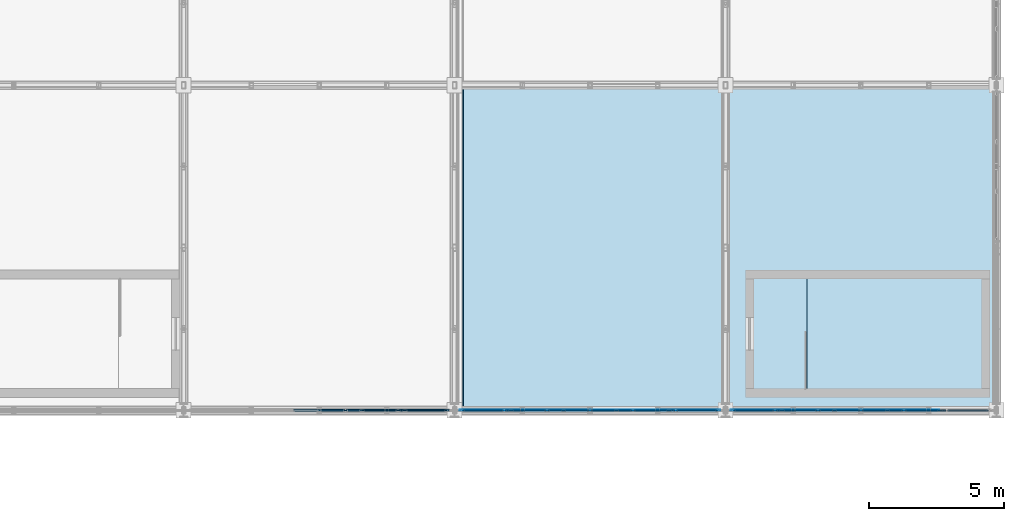
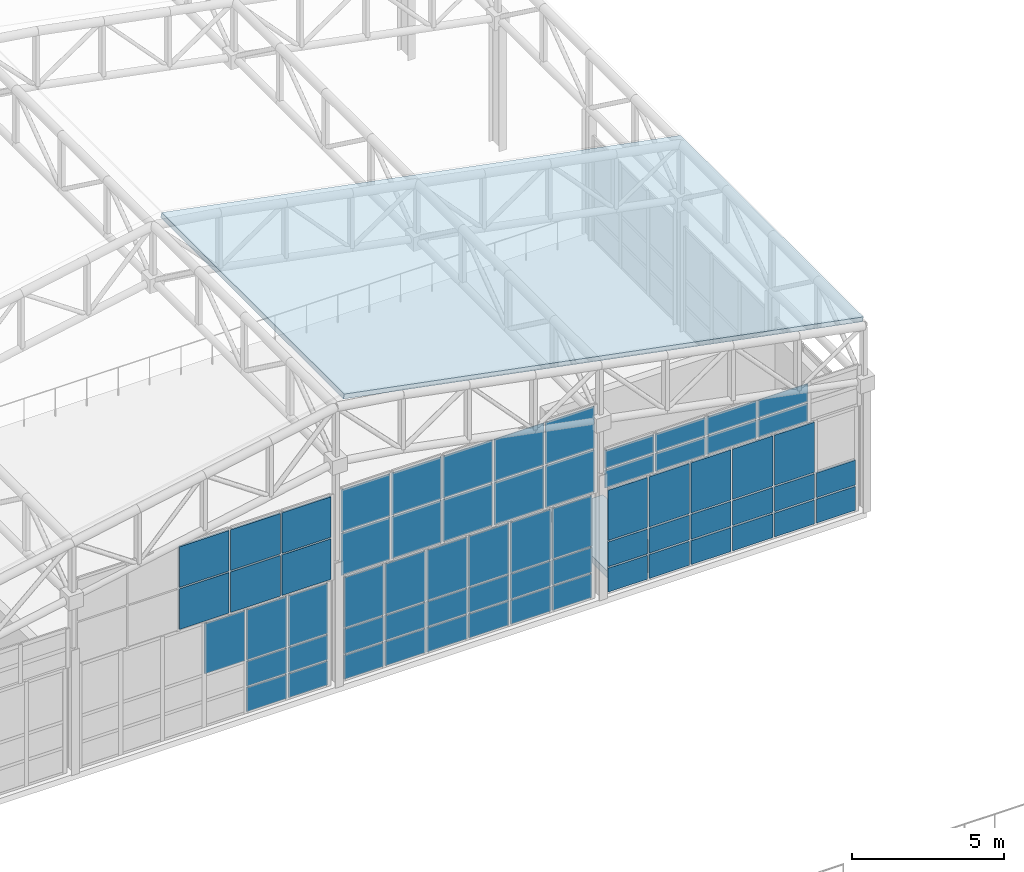
# One storey, part 91 of 112: 66 plates, 2 slabs, 7 elements without a shape of their own.
"""IFC4 building model written with IfcOpenShell, lengths in metres."""

from ifc_helpers import new_model, si_unit, direction, frame, origin, origin_2d, place, context, subcontext, project, spatial, polyline, rectangle, outline, extrude, material, layer, layer_set, type_object, element, aggregate, save


model = new_model("IFC4")

# Units and contexts
model_context = context("Model", 3, precision=1e-05, world=origin(), true_north=direction((0.0, 1.0)))
body_context = subcontext(model_context, "Body", "Model", "MODEL_VIEW")
ifc_project = project(units=[si_unit("LENGTHUNIT", "METRE"), si_unit("AREAUNIT", "SQUARE_METRE"), si_unit("VOLUMEUNIT", "CUBIC_METRE"), si_unit("PLANEANGLEUNIT", "RADIAN"), si_unit("MASSUNIT", "GRAM", prefix="KILO")], contexts=[model_context])

# Site, building, storey
site_placement = place(None, origin())
site = spatial("IfcSite", under=ifc_project, at=site_placement, CompositionType="ELEMENT")
building_placement = place(site_placement, origin())
building = spatial("IfcBuilding", under=site, at=building_placement, Name="Kaldris Quays Convention Centre", CompositionType="ELEMENT")
storey_placement = place(building_placement, frame((0.0, 0.0, 16.800048828125)))
storey = spatial("IfcBuildingStorey", under=building, at=storey_placement, Name="L03", CompositionType="ELEMENT", Elevation=16.800048828125)

# Curtain wall, plates
ifc_material_1 = material(Name="Anodized aluminium AW-6060 and triple glazing", Category="aluminium")
curtain_wall_type_1 = type_object("IfcCurtainWallType", Name="UNITISED CURTAIN WALL CW05", PredefinedType="NOTDEFINED", material=ifc_material_1)
curtain_wall_1_placement = place(storey_placement, origin())
curtain_wall_1 = element("IfcCurtainWall", 1, at=curtain_wall_1_placement, inside=storey, type_object=curtain_wall_type_1, Name="L03 Unitised Curtain Wall CW05 257", PredefinedType="NOTDEFINED")
ifc_material_2 = material(Name="Triple low-E insulated glazing", Category="glass")
plate_type_1 = type_object("IfcPlateType", Name="CURTAIN GLAZING PANEL CWP1", PredefinedType="CURTAIN_PANEL", material=ifc_material_2)
plate_1_placement = place(storey_placement, frame((185.126953125, 56.0, 4.2548828125), z_axis=(0.0, 0.0, 1.0), x_axis=(1.0, 0.0, 0.0)))
plate_1 = element("IfcPlate", 2, at=plate_1_placement, type_object=plate_type_1, Name="CW05 panel 1.1", PredefinedType="CURTAIN_PANEL", context=body_context, shape_type="SweptSolid", body=[
    extrude(rectangle(XDim=1.85400390625, YDim=0.029052734375, at=origin_2d()), origin(), (0.0, 0.0, 1.0), 1.68408203125),
])
plate_2_placement = place(storey_placement, frame((185.126953125, 56.0, 5.9990234375), z_axis=(0.0, 0.0, 1.0), x_axis=(1.0, 0.0, 0.0)))
plate_2 = element("IfcPlate", 3, at=plate_2_placement, type_object=plate_type_1, Name="CW05 panel 1.2", PredefinedType="CURTAIN_PANEL", context=body_context, shape_type="SweptSolid", body=[
    extrude(rectangle(XDim=1.85400390625, YDim=0.029052734375, at=origin_2d()), origin(), (0.0, 0.0, 1.0), 1.68408203125),
])
plate_3_placement = place(storey_placement, frame((187.055908203125, 56.0, 4.2548828125), z_axis=(0.0, 0.0, 1.0), x_axis=(1.0, 0.0, 0.0)))
plate_3 = element("IfcPlate", 4, at=plate_3_placement, type_object=plate_type_1, Name="CW05 panel 2.1", PredefinedType="CURTAIN_PANEL", context=body_context, shape_type="SweptSolid", body=[
    extrude(rectangle(XDim=1.884033203125, YDim=0.029052734375, at=origin_2d()), origin(), (0.0, 0.0, 1.0), 1.68408203125),
])
plate_4_placement = place(storey_placement, frame((187.055908203125, 56.0, 5.9990234375), z_axis=(0.0, 0.0, 1.0), x_axis=(1.0, 0.0, 0.0)))
plate_4 = element("IfcPlate", 5, at=plate_4_placement, type_object=plate_type_1, Name="CW05 panel 2.2", PredefinedType="CURTAIN_PANEL", context=body_context, shape_type="SweptSolid", body=[
    extrude(rectangle(XDim=1.884033203125, YDim=0.029052734375, at=origin_2d()), origin(), (0.0, 0.0, 1.0), 1.68408203125),
])
plate_5_placement = place(storey_placement, frame((189.0, 56.0, 4.2548828125), z_axis=(0.0, 0.0, 1.0), x_axis=(1.0, 0.0, 0.0)))
plate_5 = element("IfcPlate", 6, at=plate_5_placement, type_object=plate_type_1, Name="CW05 panel 3.1", PredefinedType="CURTAIN_PANEL", context=body_context, shape_type="SweptSolid", body=[
    extrude(rectangle(XDim=1.884033203125, YDim=0.029052734375, at=origin_2d()), origin(), (0.0, 0.0, 1.0), 1.68408203125),
])
plate_6_placement = place(storey_placement, frame((189.0, 56.0, 5.9990234375), z_axis=(0.0, 0.0, 1.0), x_axis=(1.0, 0.0, 0.0)))
plate_6 = element("IfcPlate", 7, at=plate_6_placement, type_object=plate_type_1, Name="CW05 panel 3.2", PredefinedType="CURTAIN_PANEL", context=body_context, shape_type="SweptSolid", body=[
    extrude(rectangle(XDim=1.884033203125, YDim=0.029052734375, at=origin_2d()), origin(), (0.0, 0.0, 1.0), 1.68408203125),
])
plate_7_placement = place(storey_placement, frame((190.944091796875, 56.0, 4.2548828125), z_axis=(0.0, 0.0, 1.0), x_axis=(1.0, 0.0, 0.0)))
plate_7 = element("IfcPlate", 8, at=plate_7_placement, type_object=plate_type_1, Name="CW05 panel 4.1", PredefinedType="CURTAIN_PANEL", context=body_context, shape_type="SweptSolid", body=[
    extrude(rectangle(XDim=1.884033203125, YDim=0.029052734375, at=origin_2d()), origin(), (0.0, 0.0, 1.0), 1.68408203125),
])
plate_8_placement = place(storey_placement, frame((190.944091796875, 56.0, 5.9990234375), z_axis=(0.0, 0.0, 1.0), x_axis=(1.0, 0.0, 0.0)))
plate_8 = element("IfcPlate", 9, at=plate_8_placement, type_object=plate_type_1, Name="CW05 panel 4.2", PredefinedType="CURTAIN_PANEL", context=body_context, shape_type="SweptSolid", body=[
    extrude(rectangle(XDim=1.884033203125, YDim=0.029052734375, at=origin_2d()), origin(), (0.0, 0.0, 1.0), 1.68408203125),
])
plate_9_placement = place(storey_placement, frame((192.873046875, 56.0, 4.2548828125), z_axis=(0.0, 0.0, 1.0), x_axis=(1.0, 0.0, 0.0)))
plate_9 = element("IfcPlate", 10, at=plate_9_placement, type_object=plate_type_1, Name="CW05 panel 5.1", PredefinedType="CURTAIN_PANEL", context=body_context, shape_type="SweptSolid", body=[
    extrude(rectangle(XDim=1.85400390625, YDim=0.029052734375, at=origin_2d()), origin(), (0.0, 0.0, 1.0), 1.68408203125),
])
plate_10_placement = place(storey_placement, frame((192.873046875, 56.0, 5.9990234375), z_axis=(0.0, 0.0, 1.0), x_axis=(1.0, 0.0, 0.0)))
plate_10 = element("IfcPlate", 11, at=plate_10_placement, type_object=plate_type_1, Name="CW05 panel 5.2", PredefinedType="CURTAIN_PANEL", context=body_context, shape_type="SweptSolid", body=[
    extrude(rectangle(XDim=1.85400390625, YDim=0.029052734375, at=origin_2d()), origin(), (0.0, 0.0, 1.0), 1.68408203125),
])
aggregate(curtain_wall_1, [plate_1, plate_2, plate_3, plate_4, plate_5, plate_6, plate_7, plate_8, plate_9, plate_10])

curtain_wall_2_placement = place(storey_placement, origin())
curtain_wall_2 = element("IfcCurtainWall", 12, at=curtain_wall_2_placement, inside=storey, type_object=curtain_wall_type_1, Name="L03 Unitised Curtain Wall CW05 258", PredefinedType="NOTDEFINED")
plate_type_2 = type_object("IfcPlateType", Name="CURTAIN GLAZING PANEL CWP2", PredefinedType="CURTAIN_PANEL", material=ifc_material_2)
plate_11_placement = place(storey_placement, frame((195.126953125, 56.0, 4.2548828125), z_axis=(0.0, 0.0, 1.0), x_axis=(1.0, 0.0, 0.0)))
plate_11 = element("IfcPlate", 13, at=plate_11_placement, type_object=plate_type_2, Name="CW05 panel 1.1", PredefinedType="CURTAIN_PANEL", context=body_context, shape_type="SweptSolid", body=[
    extrude(rectangle(XDim=1.85400390625, YDim=0.033935546875, at=origin_2d()), origin(), (0.0, 0.0, 1.0), 0.719970703125),
])
plate_12_placement = place(storey_placement, frame((195.126953125, 56.0, 5.03515625), z_axis=(0.0, 0.0, 1.0), x_axis=(1.0, 0.0, 0.0)))
plate_12 = element("IfcPlate", 14, at=plate_12_placement, type_object=plate_type_2, Name="CW05 panel 1.2", PredefinedType="CURTAIN_PANEL", context=body_context, shape_type="SweptSolid", body=[
    extrude(rectangle(XDim=1.85400390625, YDim=0.033935546875, at=origin_2d()), origin(), (0.0, 0.0, 1.0), 0.718994140625),
])
plate_13_placement = place(storey_placement, frame((197.055908203125, 56.0, 4.2548828125), z_axis=(0.0, 0.0, 1.0), x_axis=(1.0, 0.0, 0.0)))
plate_13 = element("IfcPlate", 15, at=plate_13_placement, type_object=plate_type_2, Name="CW05 panel 2.1", PredefinedType="CURTAIN_PANEL", context=body_context, shape_type="SweptSolid", body=[
    extrude(rectangle(XDim=1.884033203125, YDim=0.033935546875, at=origin_2d()), origin(), (0.0, 0.0, 1.0), 0.719970703125),
])
plate_14_placement = place(storey_placement, frame((197.055908203125, 56.0, 5.03515625), z_axis=(0.0, 0.0, 1.0), x_axis=(1.0, 0.0, 0.0)))
plate_14 = element("IfcPlate", 16, at=plate_14_placement, type_object=plate_type_2, Name="CW05 panel 2.2", PredefinedType="CURTAIN_PANEL", context=body_context, shape_type="SweptSolid", body=[
    extrude(rectangle(XDim=1.884033203125, YDim=0.033935546875, at=origin_2d()), origin(), (0.0, 0.0, 1.0), 0.718994140625),
])
plate_15_placement = place(storey_placement, frame((199.0, 56.0, 4.2548828125), z_axis=(0.0, 0.0, 1.0), x_axis=(1.0, 0.0, 0.0)))
plate_15 = element("IfcPlate", 17, at=plate_15_placement, type_object=plate_type_2, Name="CW05 panel 3.1", PredefinedType="CURTAIN_PANEL", context=body_context, shape_type="SweptSolid", body=[
    extrude(rectangle(XDim=1.884033203125, YDim=0.033935546875, at=origin_2d()), origin(), (0.0, 0.0, 1.0), 0.719970703125),
])
plate_16_placement = place(storey_placement, frame((199.0, 56.0, 5.03515625), z_axis=(0.0, 0.0, 1.0), x_axis=(1.0, 0.0, 0.0)))
plate_16 = element("IfcPlate", 18, at=plate_16_placement, type_object=plate_type_2, Name="CW05 panel 3.2", PredefinedType="CURTAIN_PANEL", context=body_context, shape_type="SweptSolid", body=[
    extrude(rectangle(XDim=1.884033203125, YDim=0.033935546875, at=origin_2d()), origin(), (0.0, 0.0, 1.0), 0.718994140625),
])
plate_17_placement = place(storey_placement, frame((200.944091796875, 56.0, 4.2548828125), z_axis=(0.0, 0.0, 1.0), x_axis=(1.0, 0.0, 0.0)))
plate_17 = element("IfcPlate", 19, at=plate_17_placement, type_object=plate_type_2, Name="CW05 panel 4.1", PredefinedType="CURTAIN_PANEL", context=body_context, shape_type="SweptSolid", body=[
    extrude(rectangle(XDim=1.884033203125, YDim=0.033935546875, at=origin_2d()), origin(), (0.0, 0.0, 1.0), 0.719970703125),
])
plate_18_placement = place(storey_placement, frame((200.944091796875, 56.0, 5.03515625), z_axis=(0.0, 0.0, 1.0), x_axis=(1.0, 0.0, 0.0)))
plate_18 = element("IfcPlate", 20, at=plate_18_placement, type_object=plate_type_2, Name="CW05 panel 4.2", PredefinedType="CURTAIN_PANEL", context=body_context, shape_type="SweptSolid", body=[
    extrude(rectangle(XDim=1.884033203125, YDim=0.033935546875, at=origin_2d()), origin(), (0.0, 0.0, 1.0), 0.718994140625),
])
aggregate(curtain_wall_2, [plate_11, plate_12, plate_13, plate_14, plate_15, plate_16, plate_17, plate_18])

curtain_wall_type_2 = type_object("IfcCurtainWallType", Name="UNITISED CURTAIN WALL CW01", PredefinedType="NOTDEFINED", material=ifc_material_1)
curtain_wall_3_placement = place(storey_placement, origin())
curtain_wall_3 = element("IfcCurtainWall", 21, at=curtain_wall_3_placement, inside=storey, type_object=curtain_wall_type_2, Name="L03 Unitised Curtain Wall CW01 37", PredefinedType="NOTDEFINED")
plate_type_3 = type_object("IfcPlateType", Name="CURTAIN GLAZING PANEL CWP5", PredefinedType="CURTAIN_PANEL", material=ifc_material_2)
plate_19_placement = place(storey_placement, frame((179.791748046875, 56.0, 2.1298828125), z_axis=(0.0, 0.0, 1.0), x_axis=(1.0, 0.0, 0.0)))
plate_19 = element("IfcPlate", 22, at=plate_19_placement, type_object=plate_type_3, Name="CW01 panel 4.3", PredefinedType="CURTAIN_PANEL", context=body_context, shape_type="SweptSolid", body=[
    extrude(rectangle(XDim=1.5234375, YDim=0.049072265625, at=origin_2d()), origin(), (0.0, 0.0, 1.0), 2.010009765625),
])
plate_20_placement = place(storey_placement, frame((181.375, 56.0, 0.06005859375), z_axis=(0.0, 0.0, 1.0), x_axis=(1.0, 0.0, 0.0)))
plate_20 = element("IfcPlate", 23, at=plate_20_placement, type_object=plate_type_3, Name="CW01 panel 5.1", PredefinedType="CURTAIN_PANEL", context=body_context, shape_type="SweptSolid", body=[
    extrude(rectangle(XDim=1.5234375, YDim=0.049072265625, at=origin_2d()), origin(), (0.0, 0.0, 1.0), 0.9599609375),
])
plate_21_placement = place(storey_placement, frame((181.375, 56.0, 1.080078125), z_axis=(0.0, 0.0, 1.0), x_axis=(1.0, 0.0, 0.0)))
plate_21 = element("IfcPlate", 24, at=plate_21_placement, type_object=plate_type_3, Name="CW01 panel 5.2", PredefinedType="CURTAIN_PANEL", context=body_context, shape_type="SweptSolid", body=[
    extrude(rectangle(XDim=1.5234375, YDim=0.049072265625, at=origin_2d()), origin(), (0.0, 0.0, 1.0), 0.989990234375),
])
plate_22_placement = place(storey_placement, frame((181.375, 56.0, 2.1298828125), z_axis=(0.0, 0.0, 1.0), x_axis=(1.0, 0.0, 0.0)))
plate_22 = element("IfcPlate", 25, at=plate_22_placement, type_object=plate_type_3, Name="CW01 panel 5.3", PredefinedType="CURTAIN_PANEL", context=body_context, shape_type="SweptSolid", body=[
    extrude(rectangle(XDim=1.5234375, YDim=0.049072265625, at=origin_2d()), origin(), (0.0, 0.0, 1.0), 2.010009765625),
])
plate_23_placement = place(storey_placement, frame((182.943359375, 56.0, 0.06005859375), z_axis=(0.0, 0.0, 1.0), x_axis=(1.0, 0.0, 0.0)))
plate_23 = element("IfcPlate", 26, at=plate_23_placement, type_object=plate_type_3, Name="CW01 panel 6.1", PredefinedType="CURTAIN_PANEL", context=body_context, shape_type="SweptSolid", body=[
    extrude(rectangle(XDim=1.493408203125, YDim=0.049072265625, at=origin_2d()), origin(), (0.0, 0.0, 1.0), 0.9599609375),
])
plate_24_placement = place(storey_placement, frame((182.943359375, 56.0, 1.080078125), z_axis=(0.0, 0.0, 1.0), x_axis=(1.0, 0.0, 0.0)))
plate_24 = element("IfcPlate", 27, at=plate_24_placement, type_object=plate_type_3, Name="CW01 panel 6.2", PredefinedType="CURTAIN_PANEL", context=body_context, shape_type="SweptSolid", body=[
    extrude(rectangle(XDim=1.493408203125, YDim=0.049072265625, at=origin_2d()), origin(), (0.0, 0.0, 1.0), 0.989990234375),
])
plate_25_placement = place(storey_placement, frame((182.943359375, 56.0, 2.1298828125), z_axis=(0.0, 0.0, 1.0), x_axis=(1.0, 0.0, 0.0)))
plate_25 = element("IfcPlate", 28, at=plate_25_placement, type_object=plate_type_3, Name="CW01 panel 6.3", PredefinedType="CURTAIN_PANEL", context=body_context, shape_type="SweptSolid", body=[
    extrude(rectangle(XDim=1.493408203125, YDim=0.049072265625, at=origin_2d()), origin(), (0.0, 0.0, 1.0), 2.010009765625),
])
aggregate(curtain_wall_3, [plate_19, plate_20, plate_21, plate_22, plate_23, plate_24, plate_25])

curtain_wall_4_placement = place(storey_placement, origin())
curtain_wall_4 = element("IfcCurtainWall", 29, at=curtain_wall_4_placement, inside=storey, type_object=curtain_wall_type_2, Name="L03 Unitised Curtain Wall CW01 38", PredefinedType="NOTDEFINED")
plate_type_4 = type_object("IfcPlateType", Name="CURTAIN GLAZING PANEL CWP6", PredefinedType="CURTAIN_PANEL", material=ifc_material_2)
plate_26_placement = place(storey_placement, frame((185.056640625, 56.0, 0.06005859375), z_axis=(0.0, 0.0, 1.0), x_axis=(1.0, 0.0, 0.0)))
plate_26 = element("IfcPlate", 30, at=plate_26_placement, type_object=plate_type_4, Name="CW01 panel 1.1", PredefinedType="CURTAIN_PANEL", context=body_context, shape_type="SweptSolid", body=[
    extrude(rectangle(XDim=1.493408203125, YDim=0.053955078125, at=origin_2d()), origin(), (0.0, 0.0, 1.0), 0.9599609375),
])
plate_27_placement = place(storey_placement, frame((185.056640625, 56.0, 1.080078125), z_axis=(0.0, 0.0, 1.0), x_axis=(1.0, 0.0, 0.0)))
plate_27 = element("IfcPlate", 31, at=plate_27_placement, type_object=plate_type_4, Name="CW01 panel 1.2", PredefinedType="CURTAIN_PANEL", context=body_context, shape_type="SweptSolid", body=[
    extrude(rectangle(XDim=1.493408203125, YDim=0.053955078125, at=origin_2d()), origin(), (0.0, 0.0, 1.0), 0.989990234375),
])
plate_28_placement = place(storey_placement, frame((185.056640625, 56.0, 2.1298828125), z_axis=(0.0, 0.0, 1.0), x_axis=(1.0, 0.0, 0.0)))
plate_28 = element("IfcPlate", 32, at=plate_28_placement, type_object=plate_type_4, Name="CW01 panel 1.3", PredefinedType="CURTAIN_PANEL", context=body_context, shape_type="SweptSolid", body=[
    extrude(rectangle(XDim=1.493408203125, YDim=0.053955078125, at=origin_2d()), origin(), (0.0, 0.0, 1.0), 2.010009765625),
])
plate_29_placement = place(storey_placement, frame((186.625, 56.0, 0.06005859375), z_axis=(0.0, 0.0, 1.0), x_axis=(1.0, 0.0, 0.0)))
plate_29 = element("IfcPlate", 33, at=plate_29_placement, type_object=plate_type_4, Name="CW01 panel 2.1", PredefinedType="CURTAIN_PANEL", context=body_context, shape_type="SweptSolid", body=[
    extrude(rectangle(XDim=1.5234375, YDim=0.053955078125, at=origin_2d()), origin(), (0.0, 0.0, 1.0), 0.9599609375),
])
plate_30_placement = place(storey_placement, frame((186.625, 56.0, 1.080078125), z_axis=(0.0, 0.0, 1.0), x_axis=(1.0, 0.0, 0.0)))
plate_30 = element("IfcPlate", 34, at=plate_30_placement, type_object=plate_type_4, Name="CW01 panel 2.2", PredefinedType="CURTAIN_PANEL", context=body_context, shape_type="SweptSolid", body=[
    extrude(rectangle(XDim=1.5234375, YDim=0.053955078125, at=origin_2d()), origin(), (0.0, 0.0, 1.0), 0.989990234375),
])
plate_31_placement = place(storey_placement, frame((186.625, 56.0, 2.1298828125), z_axis=(0.0, 0.0, 1.0), x_axis=(1.0, 0.0, 0.0)))
plate_31 = element("IfcPlate", 35, at=plate_31_placement, type_object=plate_type_4, Name="CW01 panel 2.3", PredefinedType="CURTAIN_PANEL", context=body_context, shape_type="SweptSolid", body=[
    extrude(rectangle(XDim=1.5234375, YDim=0.053955078125, at=origin_2d()), origin(), (0.0, 0.0, 1.0), 2.010009765625),
])
plate_32_placement = place(storey_placement, frame((188.208251953125, 56.0, 0.06005859375), z_axis=(0.0, 0.0, 1.0), x_axis=(1.0, 0.0, 0.0)))
plate_32 = element("IfcPlate", 36, at=plate_32_placement, type_object=plate_type_4, Name="CW01 panel 3.1", PredefinedType="CURTAIN_PANEL", context=body_context, shape_type="SweptSolid", body=[
    extrude(rectangle(XDim=1.5234375, YDim=0.053955078125, at=origin_2d()), origin(), (0.0, 0.0, 1.0), 0.9599609375),
])
plate_33_placement = place(storey_placement, frame((188.208251953125, 56.0, 1.080078125), z_axis=(0.0, 0.0, 1.0), x_axis=(1.0, 0.0, 0.0)))
plate_33 = element("IfcPlate", 37, at=plate_33_placement, type_object=plate_type_4, Name="CW01 panel 3.2", PredefinedType="CURTAIN_PANEL", context=body_context, shape_type="SweptSolid", body=[
    extrude(rectangle(XDim=1.5234375, YDim=0.053955078125, at=origin_2d()), origin(), (0.0, 0.0, 1.0), 0.989990234375),
])
plate_34_placement = place(storey_placement, frame((188.208251953125, 56.0, 2.1298828125), z_axis=(0.0, 0.0, 1.0), x_axis=(1.0, 0.0, 0.0)))
plate_34 = element("IfcPlate", 38, at=plate_34_placement, type_object=plate_type_4, Name="CW01 panel 3.3", PredefinedType="CURTAIN_PANEL", context=body_context, shape_type="SweptSolid", body=[
    extrude(rectangle(XDim=1.5234375, YDim=0.053955078125, at=origin_2d()), origin(), (0.0, 0.0, 1.0), 2.010009765625),
])
plate_35_placement = place(storey_placement, frame((189.791748046875, 56.0, 0.06005859375), z_axis=(0.0, 0.0, 1.0), x_axis=(1.0, 0.0, 0.0)))
plate_35 = element("IfcPlate", 39, at=plate_35_placement, type_object=plate_type_4, Name="CW01 panel 4.1", PredefinedType="CURTAIN_PANEL", context=body_context, shape_type="SweptSolid", body=[
    extrude(rectangle(XDim=1.5234375, YDim=0.053955078125, at=origin_2d()), origin(), (0.0, 0.0, 1.0), 0.9599609375),
])
plate_36_placement = place(storey_placement, frame((189.791748046875, 56.0, 1.080078125), z_axis=(0.0, 0.0, 1.0), x_axis=(1.0, 0.0, 0.0)))
plate_36 = element("IfcPlate", 40, at=plate_36_placement, type_object=plate_type_4, Name="CW01 panel 4.2", PredefinedType="CURTAIN_PANEL", context=body_context, shape_type="SweptSolid", body=[
    extrude(rectangle(XDim=1.5234375, YDim=0.053955078125, at=origin_2d()), origin(), (0.0, 0.0, 1.0), 0.989990234375),
])
plate_37_placement = place(storey_placement, frame((189.791748046875, 56.0, 2.1298828125), z_axis=(0.0, 0.0, 1.0), x_axis=(1.0, 0.0, 0.0)))
plate_37 = element("IfcPlate", 41, at=plate_37_placement, type_object=plate_type_4, Name="CW01 panel 4.3", PredefinedType="CURTAIN_PANEL", context=body_context, shape_type="SweptSolid", body=[
    extrude(rectangle(XDim=1.5234375, YDim=0.053955078125, at=origin_2d()), origin(), (0.0, 0.0, 1.0), 2.010009765625),
])
plate_38_placement = place(storey_placement, frame((191.375, 56.0, 0.06005859375), z_axis=(0.0, 0.0, 1.0), x_axis=(1.0, 0.0, 0.0)))
plate_38 = element("IfcPlate", 42, at=plate_38_placement, type_object=plate_type_4, Name="CW01 panel 5.1", PredefinedType="CURTAIN_PANEL", context=body_context, shape_type="SweptSolid", body=[
    extrude(rectangle(XDim=1.5234375, YDim=0.053955078125, at=origin_2d()), origin(), (0.0, 0.0, 1.0), 0.9599609375),
])
plate_39_placement = place(storey_placement, frame((191.375, 56.0, 1.080078125), z_axis=(0.0, 0.0, 1.0), x_axis=(1.0, 0.0, 0.0)))
plate_39 = element("IfcPlate", 43, at=plate_39_placement, type_object=plate_type_4, Name="CW01 panel 5.2", PredefinedType="CURTAIN_PANEL", context=body_context, shape_type="SweptSolid", body=[
    extrude(rectangle(XDim=1.5234375, YDim=0.053955078125, at=origin_2d()), origin(), (0.0, 0.0, 1.0), 0.989990234375),
])
plate_40_placement = place(storey_placement, frame((191.375, 56.0, 2.1298828125), z_axis=(0.0, 0.0, 1.0), x_axis=(1.0, 0.0, 0.0)))
plate_40 = element("IfcPlate", 44, at=plate_40_placement, type_object=plate_type_4, Name="CW01 panel 5.3", PredefinedType="CURTAIN_PANEL", context=body_context, shape_type="SweptSolid", body=[
    extrude(rectangle(XDim=1.5234375, YDim=0.053955078125, at=origin_2d()), origin(), (0.0, 0.0, 1.0), 2.010009765625),
])
plate_41_placement = place(storey_placement, frame((192.943359375, 56.0, 0.06005859375), z_axis=(0.0, 0.0, 1.0), x_axis=(1.0, 0.0, 0.0)))
plate_41 = element("IfcPlate", 45, at=plate_41_placement, type_object=plate_type_4, Name="CW01 panel 6.1", PredefinedType="CURTAIN_PANEL", context=body_context, shape_type="SweptSolid", body=[
    extrude(rectangle(XDim=1.493408203125, YDim=0.053955078125, at=origin_2d()), origin(), (0.0, 0.0, 1.0), 0.9599609375),
])
plate_42_placement = place(storey_placement, frame((192.943359375, 56.0, 1.080078125), z_axis=(0.0, 0.0, 1.0), x_axis=(1.0, 0.0, 0.0)))
plate_42 = element("IfcPlate", 46, at=plate_42_placement, type_object=plate_type_4, Name="CW01 panel 6.2", PredefinedType="CURTAIN_PANEL", context=body_context, shape_type="SweptSolid", body=[
    extrude(rectangle(XDim=1.493408203125, YDim=0.053955078125, at=origin_2d()), origin(), (0.0, 0.0, 1.0), 0.989990234375),
])
plate_43_placement = place(storey_placement, frame((192.943359375, 56.0, 2.1298828125), z_axis=(0.0, 0.0, 1.0), x_axis=(1.0, 0.0, 0.0)))
plate_43 = element("IfcPlate", 47, at=plate_43_placement, type_object=plate_type_4, Name="CW01 panel 6.3", PredefinedType="CURTAIN_PANEL", context=body_context, shape_type="SweptSolid", body=[
    extrude(rectangle(XDim=1.493408203125, YDim=0.053955078125, at=origin_2d()), origin(), (0.0, 0.0, 1.0), 2.010009765625),
])
aggregate(curtain_wall_4, [plate_26, plate_27, plate_28, plate_29, plate_30, plate_31, plate_32, plate_33, plate_34, plate_35, plate_36, plate_37, plate_38, plate_39, plate_40, plate_41, plate_42, plate_43])

curtain_wall_5_placement = place(storey_placement, origin())
curtain_wall_5 = element("IfcCurtainWall", 48, at=curtain_wall_5_placement, inside=storey, type_object=curtain_wall_type_2, Name="L03 Unitised Curtain Wall CW01 39", PredefinedType="NOTDEFINED")
plate_type_5 = type_object("IfcPlateType", Name="CURTAIN GLAZING PANEL CWP7", PredefinedType="CURTAIN_PANEL", material=ifc_material_2)
plate_44_placement = place(storey_placement, frame((195.056640625, 56.0, 0.06005859375), z_axis=(0.0, 0.0, 1.0), x_axis=(1.0, 0.0, 0.0)))
plate_44 = element("IfcPlate", 49, at=plate_44_placement, type_object=plate_type_5, Name="CW01 panel 1.1", PredefinedType="CURTAIN_PANEL", context=body_context, shape_type="SweptSolid", body=[
    extrude(rectangle(XDim=1.493408203125, YDim=0.05908203125, at=origin_2d()), origin(), (0.0, 0.0, 1.0), 0.9599609375),
])
plate_45_placement = place(storey_placement, frame((195.056640625, 56.0, 1.080078125), z_axis=(0.0, 0.0, 1.0), x_axis=(1.0, 0.0, 0.0)))
plate_45 = element("IfcPlate", 50, at=plate_45_placement, type_object=plate_type_5, Name="CW01 panel 1.2", PredefinedType="CURTAIN_PANEL", context=body_context, shape_type="SweptSolid", body=[
    extrude(rectangle(XDim=1.493408203125, YDim=0.05908203125, at=origin_2d()), origin(), (0.0, 0.0, 1.0), 0.989990234375),
])
plate_46_placement = place(storey_placement, frame((195.056640625, 56.0, 2.1298828125), z_axis=(0.0, 0.0, 1.0), x_axis=(1.0, 0.0, 0.0)))
plate_46 = element("IfcPlate", 51, at=plate_46_placement, type_object=plate_type_5, Name="CW01 panel 1.3", PredefinedType="CURTAIN_PANEL", context=body_context, shape_type="SweptSolid", body=[
    extrude(rectangle(XDim=1.493408203125, YDim=0.05908203125, at=origin_2d()), origin(), (0.0, 0.0, 1.0), 2.010009765625),
])
plate_47_placement = place(storey_placement, frame((196.625, 56.0, 0.06005859375), z_axis=(0.0, 0.0, 1.0), x_axis=(1.0, 0.0, 0.0)))
plate_47 = element("IfcPlate", 52, at=plate_47_placement, type_object=plate_type_5, Name="CW01 panel 2.1", PredefinedType="CURTAIN_PANEL", context=body_context, shape_type="SweptSolid", body=[
    extrude(rectangle(XDim=1.5234375, YDim=0.05908203125, at=origin_2d()), origin(), (0.0, 0.0, 1.0), 0.9599609375),
])
plate_48_placement = place(storey_placement, frame((196.625, 56.0, 1.080078125), z_axis=(0.0, 0.0, 1.0), x_axis=(1.0, 0.0, 0.0)))
plate_48 = element("IfcPlate", 53, at=plate_48_placement, type_object=plate_type_5, Name="CW01 panel 2.2", PredefinedType="CURTAIN_PANEL", context=body_context, shape_type="SweptSolid", body=[
    extrude(rectangle(XDim=1.5234375, YDim=0.05908203125, at=origin_2d()), origin(), (0.0, 0.0, 1.0), 0.989990234375),
])
plate_49_placement = place(storey_placement, frame((196.625, 56.0, 2.1298828125), z_axis=(0.0, 0.0, 1.0), x_axis=(1.0, 0.0, 0.0)))
plate_49 = element("IfcPlate", 54, at=plate_49_placement, type_object=plate_type_5, Name="CW01 panel 2.3", PredefinedType="CURTAIN_PANEL", context=body_context, shape_type="SweptSolid", body=[
    extrude(rectangle(XDim=1.5234375, YDim=0.05908203125, at=origin_2d()), origin(), (0.0, 0.0, 1.0), 2.010009765625),
])
plate_50_placement = place(storey_placement, frame((198.208251953125, 56.0, 0.06005859375), z_axis=(0.0, 0.0, 1.0), x_axis=(1.0, 0.0, 0.0)))
plate_50 = element("IfcPlate", 55, at=plate_50_placement, type_object=plate_type_5, Name="CW01 panel 3.1", PredefinedType="CURTAIN_PANEL", context=body_context, shape_type="SweptSolid", body=[
    extrude(rectangle(XDim=1.5234375, YDim=0.05908203125, at=origin_2d()), origin(), (0.0, 0.0, 1.0), 0.9599609375),
])
plate_51_placement = place(storey_placement, frame((198.208251953125, 56.0, 1.080078125), z_axis=(0.0, 0.0, 1.0), x_axis=(1.0, 0.0, 0.0)))
plate_51 = element("IfcPlate", 56, at=plate_51_placement, type_object=plate_type_5, Name="CW01 panel 3.2", PredefinedType="CURTAIN_PANEL", context=body_context, shape_type="SweptSolid", body=[
    extrude(rectangle(XDim=1.5234375, YDim=0.05908203125, at=origin_2d()), origin(), (0.0, 0.0, 1.0), 0.989990234375),
])
plate_52_placement = place(storey_placement, frame((198.208251953125, 56.0, 2.1298828125), z_axis=(0.0, 0.0, 1.0), x_axis=(1.0, 0.0, 0.0)))
plate_52 = element("IfcPlate", 57, at=plate_52_placement, type_object=plate_type_5, Name="CW01 panel 3.3", PredefinedType="CURTAIN_PANEL", context=body_context, shape_type="SweptSolid", body=[
    extrude(rectangle(XDim=1.5234375, YDim=0.05908203125, at=origin_2d()), origin(), (0.0, 0.0, 1.0), 2.010009765625),
])
plate_53_placement = place(storey_placement, frame((199.791748046875, 56.0, 0.06005859375), z_axis=(0.0, 0.0, 1.0), x_axis=(1.0, 0.0, 0.0)))
plate_53 = element("IfcPlate", 58, at=plate_53_placement, type_object=plate_type_5, Name="CW01 panel 4.1", PredefinedType="CURTAIN_PANEL", context=body_context, shape_type="SweptSolid", body=[
    extrude(rectangle(XDim=1.5234375, YDim=0.05908203125, at=origin_2d()), origin(), (0.0, 0.0, 1.0), 0.9599609375),
])
plate_54_placement = place(storey_placement, frame((199.791748046875, 56.0, 1.080078125), z_axis=(0.0, 0.0, 1.0), x_axis=(1.0, 0.0, 0.0)))
plate_54 = element("IfcPlate", 59, at=plate_54_placement, type_object=plate_type_5, Name="CW01 panel 4.2", PredefinedType="CURTAIN_PANEL", context=body_context, shape_type="SweptSolid", body=[
    extrude(rectangle(XDim=1.5234375, YDim=0.05908203125, at=origin_2d()), origin(), (0.0, 0.0, 1.0), 0.989990234375),
])
plate_55_placement = place(storey_placement, frame((199.791748046875, 56.0, 2.1298828125), z_axis=(0.0, 0.0, 1.0), x_axis=(1.0, 0.0, 0.0)))
plate_55 = element("IfcPlate", 60, at=plate_55_placement, type_object=plate_type_5, Name="CW01 panel 4.3", PredefinedType="CURTAIN_PANEL", context=body_context, shape_type="SweptSolid", body=[
    extrude(rectangle(XDim=1.5234375, YDim=0.05908203125, at=origin_2d()), origin(), (0.0, 0.0, 1.0), 2.010009765625),
])
plate_56_placement = place(storey_placement, frame((201.375, 56.0, 0.06005859375), z_axis=(0.0, 0.0, 1.0), x_axis=(1.0, 0.0, 0.0)))
plate_56 = element("IfcPlate", 61, at=plate_56_placement, type_object=plate_type_5, Name="CW01 panel 5.1", PredefinedType="CURTAIN_PANEL", context=body_context, shape_type="SweptSolid", body=[
    extrude(rectangle(XDim=1.5234375, YDim=0.05908203125, at=origin_2d()), origin(), (0.0, 0.0, 1.0), 0.9599609375),
])
plate_57_placement = place(storey_placement, frame((201.375, 56.0, 1.080078125), z_axis=(0.0, 0.0, 1.0), x_axis=(1.0, 0.0, 0.0)))
plate_57 = element("IfcPlate", 62, at=plate_57_placement, type_object=plate_type_5, Name="CW01 panel 5.2", PredefinedType="CURTAIN_PANEL", context=body_context, shape_type="SweptSolid", body=[
    extrude(rectangle(XDim=1.5234375, YDim=0.05908203125, at=origin_2d()), origin(), (0.0, 0.0, 1.0), 0.989990234375),
])
plate_58_placement = place(storey_placement, frame((201.375, 56.0, 2.1298828125), z_axis=(0.0, 0.0, 1.0), x_axis=(1.0, 0.0, 0.0)))
plate_58 = element("IfcPlate", 63, at=plate_58_placement, type_object=plate_type_5, Name="CW01 panel 5.3", PredefinedType="CURTAIN_PANEL", context=body_context, shape_type="SweptSolid", body=[
    extrude(rectangle(XDim=1.5234375, YDim=0.05908203125, at=origin_2d()), origin(), (0.0, 0.0, 1.0), 2.010009765625),
])
plate_59_placement = place(storey_placement, frame((202.943359375, 56.0, 0.06005859375), z_axis=(0.0, 0.0, 1.0), x_axis=(1.0, 0.0, 0.0)))
plate_59 = element("IfcPlate", 64, at=plate_59_placement, type_object=plate_type_5, Name="CW01 panel 6.1", PredefinedType="CURTAIN_PANEL", context=body_context, shape_type="SweptSolid", body=[
    extrude(rectangle(XDim=1.493408203125, YDim=0.05908203125, at=origin_2d()), origin(), (0.0, 0.0, 1.0), 0.9599609375),
])
plate_60_placement = place(storey_placement, frame((202.943359375, 56.0, 1.080078125), z_axis=(0.0, 0.0, 1.0), x_axis=(1.0, 0.0, 0.0)))
plate_60 = element("IfcPlate", 65, at=plate_60_placement, type_object=plate_type_5, Name="CW01 panel 6.2", PredefinedType="CURTAIN_PANEL", context=body_context, shape_type="SweptSolid", body=[
    extrude(rectangle(XDim=1.493408203125, YDim=0.05908203125, at=origin_2d()), origin(), (0.0, 0.0, 1.0), 0.989990234375),
])
aggregate(curtain_wall_5, [plate_44, plate_45, plate_46, plate_47, plate_48, plate_49, plate_50, plate_51, plate_52, plate_53, plate_54, plate_55, plate_56, plate_57, plate_58, plate_59, plate_60])

curtain_wall_6_placement = place(storey_placement, origin())
curtain_wall_6 = element("IfcCurtainWall", 66, at=curtain_wall_6_placement, inside=storey, type_object=curtain_wall_type_1, Name="L03 Unitised Curtain Wall CW05 256", PredefinedType="NOTDEFINED")
plate_type_6 = type_object("IfcPlateType", Name="CURTAIN GLAZING PANEL CWP8", PredefinedType="CURTAIN_PANEL", material=ifc_material_2)
plate_61_placement = place(storey_placement, frame((179.0, 56.0, 4.2548828125), z_axis=(0.0, 0.0, 1.0), x_axis=(1.0, 0.0, 0.0)))
plate_61 = element("IfcPlate", 67, at=plate_61_placement, type_object=plate_type_6, Name="CW05 panel 3.1", PredefinedType="CURTAIN_PANEL", context=body_context, shape_type="SweptSolid", body=[
    extrude(rectangle(XDim=1.884033203125, YDim=0.06396484375, at=origin_2d()), origin(), (0.0, 0.0, 1.0), 1.626953125),
])
plate_62_placement = place(storey_placement, frame((179.0, 56.0, 5.94189453125), z_axis=(0.0, 0.0, 1.0), x_axis=(1.0, 0.0, 0.0)))
plate_62 = element("IfcPlate", 68, at=plate_62_placement, type_object=plate_type_6, Name="CW05 panel 3.2", PredefinedType="CURTAIN_PANEL", context=body_context, shape_type="SweptSolid", body=[
    extrude(rectangle(XDim=1.884033203125, YDim=0.06396484375, at=origin_2d()), origin(), (0.0, 0.0, 1.0), 1.6259765625),
])
plate_63_placement = place(storey_placement, frame((180.944091796875, 56.0, 4.2548828125), z_axis=(0.0, 0.0, 1.0), x_axis=(1.0, 0.0, 0.0)))
plate_63 = element("IfcPlate", 69, at=plate_63_placement, type_object=plate_type_6, Name="CW05 panel 4.1", PredefinedType="CURTAIN_PANEL", context=body_context, shape_type="SweptSolid", body=[
    extrude(rectangle(XDim=1.884033203125, YDim=0.06396484375, at=origin_2d()), origin(), (0.0, 0.0, 1.0), 1.626953125),
])
plate_64_placement = place(storey_placement, frame((180.944091796875, 56.0, 5.94189453125), z_axis=(0.0, 0.0, 1.0), x_axis=(1.0, 0.0, 0.0)))
plate_64 = element("IfcPlate", 70, at=plate_64_placement, type_object=plate_type_6, Name="CW05 panel 4.2", PredefinedType="CURTAIN_PANEL", context=body_context, shape_type="SweptSolid", body=[
    extrude(rectangle(XDim=1.884033203125, YDim=0.06396484375, at=origin_2d()), origin(), (0.0, 0.0, 1.0), 1.6259765625),
])
plate_65_placement = place(storey_placement, frame((182.873046875, 56.0, 4.2548828125), z_axis=(0.0, 0.0, 1.0), x_axis=(1.0, 0.0, 0.0)))
plate_65 = element("IfcPlate", 71, at=plate_65_placement, type_object=plate_type_6, Name="CW05 panel 5.1", PredefinedType="CURTAIN_PANEL", context=body_context, shape_type="SweptSolid", body=[
    extrude(rectangle(XDim=1.85400390625, YDim=0.06396484375, at=origin_2d()), origin(), (0.0, 0.0, 1.0), 1.626953125),
])
plate_66_placement = place(storey_placement, frame((182.873046875, 56.0, 5.94189453125), z_axis=(0.0, 0.0, 1.0), x_axis=(1.0, 0.0, 0.0)))
plate_66 = element("IfcPlate", 72, at=plate_66_placement, type_object=plate_type_6, Name="CW05 panel 5.2", PredefinedType="CURTAIN_PANEL", context=body_context, shape_type="SweptSolid", body=[
    extrude(rectangle(XDim=1.85400390625, YDim=0.06396484375, at=origin_2d()), origin(), (0.0, 0.0, 1.0), 1.6259765625),
])
aggregate(curtain_wall_6, [plate_61, plate_62, plate_63, plate_64, plate_65, plate_66])

# Slab
ifc_material_3 = material(Name="Concrete C35/45", Category="concrete")
ifc_layer_1 = layer(ifc_material_3, 0.27490234375)
ifc_layer_set_1 = layer_set([ifc_layer_1], Name="Concrete C35/45")
slab_type_1 = type_object("IfcSlabType", Name="STRUCTURAL SLAB FS05", PredefinedType="FLOOR", material=ifc_layer_set_1)
slab_1_placement = place(storey_placement, frame((0.0, 0.0, -0.275146484375)))
element("IfcSlab", 73, at=slab_1_placement, inside=storey, type_object=slab_type_1, Name="L03 ST09 Core Floor Landing Slab", PredefinedType="FLOOR", context=body_context, shape_type="SweptSolid", body=[
    extrude(outline(polyline([(194.929931640625, 56.679931640625), (197.0, 56.679931640625), (197.0, 60.969970703125), (194.929931640625, 60.969970703125), (194.929931640625, 56.679931640625)])), origin(), (0.0, 0.0, 1.0), 0.275146484375),
])

# Roof, slab
ifc_material_4 = material(Name="Steel S355J2", Category="steel")
ifc_layer_2 = layer(ifc_material_4, 0.175048828125)
ifc_layer_set_2 = layer_set([ifc_layer_2], Name="Steel S355J2")
roof_type = type_object("IfcRoofType", Name="SPACE FRAME GABLE ROOF RF01", PredefinedType="GABLE_ROOF", material=ifc_layer_set_2)
roof_placement = place(storey_placement, origin())
roof = element("IfcRoof", 74, at=roof_placement, inside=storey, type_object=roof_type, Name="Space-Frame Roof ROOF-V2-SF", PredefinedType="GABLE_ROOF")
ifc_layer_3 = layer(ifc_material_4, 0.18798828125)
ifc_layer_set_3 = layer_set([ifc_layer_3], Name="Steel S355J2")
slab_type_2 = type_object("IfcSlabType", Name="STRUCTURAL SLAB RS03", PredefinedType="ROOF", material=ifc_layer_set_3)
slab_2_placement = place(storey_placement, frame((184.324951171875, 56.0, 11.47607421875), z_axis=(0.189400946762, 0.0, 0.981899832654), x_axis=(0.981899832654, 0.0, -0.189400946762)))
slab_2 = element("IfcSlab", 75, at=slab_2_placement, type_object=slab_type_2, Name="SF-V2 Pitched Roof Deck 2.1", PredefinedType="ROOF", context=body_context, shape_type="SweptSolid", body=[
    extrude(outline(polyline([(0.0, 0.0), (20.037735188270602, 0.0), (20.037735188270602, 12.0), (0.0, 12.0), (0.0, 0.0)])), origin(), (0.0, 0.0, -1.0), 0.18798828125),
])
aggregate(roof, [slab_2])

save(model, "model.ifc")
